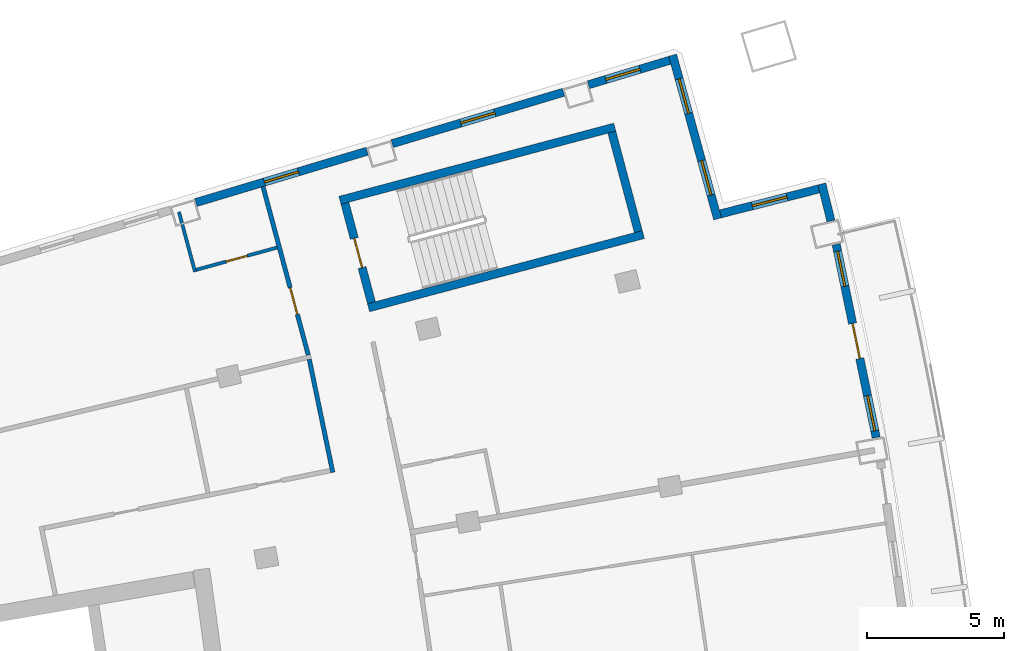
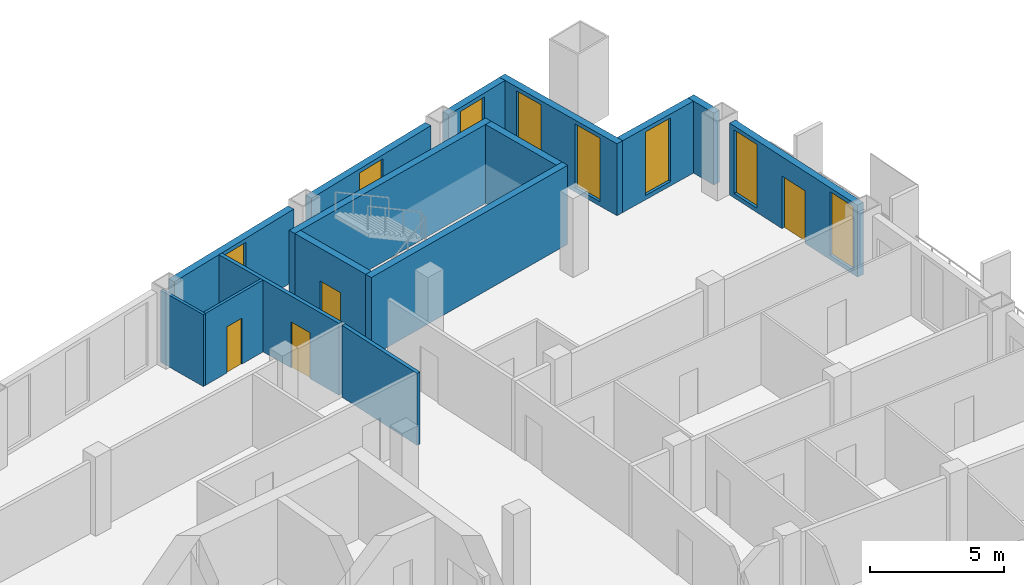
# One storey, part 15 of 19: 15 walls, 8 windows, 4 doors, 12 openings.
"""IFC4 building model written with IfcOpenShell, lengths in metres."""

from ifc_helpers import new_model, si_unit, direction, frame, frame_2d, origin, place, context, subcontext, project, spatial, rectangle, extrude, material, layer, layer_set, type_object, element, fill, save


model = new_model("IFC4")

# Units and contexts
model_context = context("Model", 3, precision=1e-05, world=origin(), true_north=direction((0.0, 1.0)))
body_context = subcontext(model_context, "Body", "Model", "MODEL_VIEW")
ifc_project = project(units=[si_unit("LENGTHUNIT", "METRE"), si_unit("AREAUNIT", "SQUARE_METRE"), si_unit("VOLUMEUNIT", "CUBIC_METRE"), si_unit("PLANEANGLEUNIT", "RADIAN"), si_unit("MASSUNIT", "GRAM", prefix="KILO")], contexts=[model_context])

# Site, building, storey
site_placement = place(None, origin())
site = spatial("IfcSite", under=ifc_project, at=site_placement, CompositionType="ELEMENT")
building_placement = place(site_placement, origin())
building = spatial("IfcBuilding", under=site, at=building_placement, Name="Alderwake Tower", CompositionType="ELEMENT")
storey_placement = place(building_placement, frame((0.0, 0.0, 203.60009765625)))
storey = spatial("IfcBuildingStorey", under=building, at=storey_placement, Name="L50", CompositionType="ELEMENT", Elevation=203.60009765625)

# Walls
ifc_material_1 = material(Name="Concrete C70/85", Category="concrete")
ifc_layer_1 = layer(ifc_material_1, 0.300048828125)
ifc_layer_set_1 = layer_set([ifc_layer_1], Name="Core wall stair enclosure 300 C70-85")
wall_type_1 = type_object("IfcWallType", Name="Core wall stair enclosure 300 C70-85", PredefinedType="SHEAR", material=ifc_layer_set_1)
for number, where, z_axis, x_axis, name in (
    (1, (36.71142578125, 94.182373046875, 0.0), (0.0, 0.0, 1.0), (0.966309214305, 0.257383958996, 0.0), "Core wall CW.082"),
    (2, (37.75390625, 90.268798828125, 0.0), (0.0, 0.0, 1.0), (0.966309214305, 0.257383958996, 0.0), "Core wall CW.084"),
):
    element("IfcWall", number, at=place(storey_placement, frame(where, z_axis=z_axis, x_axis=x_axis)), inside=storey, type_object=wall_type_1, Name=name, PredefinedType="SHEAR", context=body_context, shape_type="SweptSolid", body=[
        extrude(rectangle(XDim=10.360107421875, YDim=0.300048828125, at=frame_2d((5.18017578125, 0.0))), origin(), (0.0, 0.0, 1.0), 3.599853515625),
    ])

# Wall, opening, door
wall_1_placement = place(storey_placement, frame((37.8603515625, 90.452392578125, 0.0), z_axis=(0.0, 0.0, 1.0), x_axis=(-0.257411420208, 0.966301899381, 0.0)))
wall_1 = element("IfcWall", 3, at=wall_1_placement, inside=storey, type_object=wall_type_1, Name="Core wall CW.083", PredefinedType="SHEAR", context=body_context, shape_type="SweptSolid", body=[
    extrude(rectangle(XDim=3.750244140625, YDim=0.300048828125, at=frame_2d((1.875, 0.0))), origin(), (0.0, 0.0, 1.0), 3.599853515625),
])
opening_1_placement = place(wall_1_placement, frame((1.324951171875, 0.0, 0.0)))
opening_1 = element("IfcOpeningElement", 4, at=opening_1_placement, cuts=wall_1, Name="Opening C062", PredefinedType="OPENING", context=body_context, shape_type="SweptSolid", body=[
    extrude(rectangle(XDim=1.10009765625, YDim=2.10009765625, at=frame_2d((0.550048828125, 1.050048828125))), frame((0.0, 0.159912109375, 0.0), z_axis=(0.0, -1.0, 0.0), x_axis=(1.0, 0.0, 0.0)), (0.0, 0.0, 1.0), 0.320068359375),
])
ifc_material_2 = material(Name="Steel-framed fire door leaf", Category="steel")
door_type_1 = type_object("IfcDoorType", Name="Core stair door 1100 fire-rated", OperationType="SINGLE_SWING_LEFT", PredefinedType="DOOR", material=ifc_material_2)
door_1_placement = place(opening_1_placement, origin())
door_1 = element("IfcDoor", 5, at=door_1_placement, inside=storey, type_object=door_type_1, Name="Stair door", OperationType="SINGLE_SWING_RIGHT", OverallHeight=2.10009765625, OverallWidth=1.10009765625, PredefinedType="DOOR", context=body_context, shape_type="SweptSolid", body=[
    extrude(rectangle(XDim=1.10009765625, YDim=2.10009765625, at=frame_2d((0.550048828125, 1.050048828125))), frame((0.0, 0.02490234375, 0.0), z_axis=(0.0, -1.0, 0.0), x_axis=(1.0, 0.0, 0.0)), (0.0, 0.0, 1.0), 0.050048828125),
])
fill(opening_1, door_1)

# Wall
wall_2_placement = place(storey_placement, frame((47.581298828125, 93.041748046875, 0.0), z_axis=(0.0, 0.0, 1.0), x_axis=(-0.257366821694, 0.966313778796, 0.0)))
element("IfcWall", 6, at=wall_2_placement, inside=storey, type_object=wall_type_1, Name="Core wall CW.081", PredefinedType="SHEAR", context=body_context, shape_type="SweptSolid", body=[
    extrude(rectangle(XDim=3.749755859375, YDim=0.300048828125, at=frame_2d((1.875, 0.0))), origin(), (0.0, 0.0, 1.0), 3.599853515625),
])

# Wall, opening, door
ifc_material_3 = material(Name="Gypsum board on metal studs, rated")
ifc_layer_2 = layer(ifc_material_3, 0.159912109375)
ifc_layer_set_2 = layer_set([ifc_layer_2], Name="Corridor wall 160")
wall_type_2 = type_object("IfcWallType", Name="Corridor wall 160", PredefinedType="PARTITIONING", material=ifc_layer_set_2)
wall_3_placement = place(storey_placement, frame((35.55908203125, 88.54736328125, 0.0), z_axis=(0.0, 0.0, 1.0), x_axis=(-0.259486497004, 0.965746735885, 0.0)))
wall_3 = element("IfcWall", 7, at=wall_3_placement, inside=storey, type_object=wall_type_2, Name="WL/L50/W15", PredefinedType="PARTITIONING", context=body_context, shape_type="SweptSolid", body=[
    extrude(rectangle(XDim=6.346923828125, YDim=0.159912109375, at=frame_2d((3.17333984375, 0.0))), origin(), (0.0, 0.0, 1.0), 3.27978515625),
])
opening_2_placement = place(wall_3_placement, frame((1.5380859375, 0.0, 0.0)))
opening_2 = element("IfcOpeningElement", 8, at=opening_2_placement, cuts=wall_3, Name="Opening R14-U10.1", PredefinedType="OPENING", context=body_context, shape_type="SweptSolid", body=[
    extrude(rectangle(XDim=1.0, YDim=2.10009765625, at=frame_2d((0.5, 1.050048828125))), frame((0.0, 0.08984375, 0.0), z_axis=(0.0, -1.0, 0.0), x_axis=(1.0, 0.0, 0.0)), (0.0, 0.0, 1.0), 0.179931640625),
])
ifc_material_4 = material(Name="Solid timber leaf in steel frame", Category="steel")
door_type_2 = type_object("IfcDoorType", Name="Flat entrance door 1000 fire-rated", OperationType="SINGLE_SWING_LEFT", PredefinedType="DOOR", material=ifc_material_4)
door_2_placement = place(opening_2_placement, origin())
door_2 = element("IfcDoor", 9, at=door_2_placement, inside=storey, type_object=door_type_2, Name="DR/L50/U10.1", OperationType="SINGLE_SWING_LEFT", OverallHeight=2.10009765625, OverallWidth=1.0, PredefinedType="DOOR", context=body_context, shape_type="SweptSolid", body=[
    extrude(rectangle(XDim=1.0, YDim=2.10009765625, at=frame_2d((0.5, 1.050048828125))), frame((0.0, 0.02490234375, 0.0), z_axis=(0.0, -1.0, 0.0), x_axis=(1.0, 0.0, 0.0)), (0.0, 0.0, 1.0), 0.050048828125),
])
fill(opening_2, door_2)

# Wall
wall_4_placement = place(storey_placement, frame((35.59619140625, 88.3916015625, 0.0), z_axis=(0.0, 0.0, 1.0), x_axis=(0.20329833965, -0.979116839348, 0.0)))
element("IfcWall", 10, at=wall_4_placement, inside=storey, type_object=wall_type_2, Name="WL/L50/W17", PredefinedType="PARTITIONING", context=body_context, shape_type="SweptSolid", body=[
    extrude(rectangle(XDim=4.206787109375, YDim=0.159912109375, at=frame_2d((2.103515625, 0.0))), origin(), (0.0, 0.0, 1.0), 3.27978515625),
])

# Wall, openings, door, windows
ifc_material_5 = material(Name="Precast concrete C50/60 spandrel panel", Category="concrete")
ifc_layer_3 = layer(ifc_material_5, 0.300048828125)
ifc_layer_set_3 = layer_set([ifc_layer_3], Name="External wall EW1 Precast concrete C50/60 spandrel")
wall_type_3 = type_object("IfcWallType", Name="External wall EW1 Precast concrete C50/60 spandrel", PredefinedType="SOLIDWALL", material=ifc_layer_set_3)
wall_5_placement = place(storey_placement, frame((56.24462890625, 85.543212890625, 0.0), z_axis=(0.0, 0.0, 1.0), x_axis=(-0.202741640608, 0.979232264156, 0.0)))
wall_5 = element("IfcWall", 11, at=wall_5_placement, inside=storey, type_object=wall_type_3, Name="External wall 19", PredefinedType="SOLIDWALL", context=body_context, shape_type="SweptSolid", body=[
    extrude(rectangle(XDim=7.1806640625, YDim=0.300048828125, at=frame_2d((3.59033203125, 0.0))), origin(), (0.0, 0.0, 1.0), 3.27978515625),
])
opening_3_placement = place(wall_5_placement, frame((0.25341796875, 0.0, 0.199951171875)))
opening_3 = element("IfcOpeningElement", 12, at=opening_3_placement, cuts=wall_5, Name="Opening W1", PredefinedType="OPENING", context=body_context, shape_type="SweptSolid", body=[
    extrude(rectangle(XDim=1.300048828125, YDim=2.89990234375, at=frame_2d((0.64990234375, 1.449951171875))), frame((0.0, 0.159912109375, 0.0), z_axis=(0.0, -1.0, 0.0), x_axis=(1.0, 0.0, 0.0)), (0.0, 0.0, 1.0), 0.320068359375),
])
opening_4_placement = place(wall_5_placement, frame((2.940185546875, 0.0, 0.0)))
opening_4 = element("IfcOpeningElement", 13, at=opening_4_placement, cuts=wall_5, Name="Opening D09", PredefinedType="OPENING", context=body_context, shape_type="SweptSolid", body=[
    extrude(rectangle(XDim=1.300048828125, YDim=2.39990234375, at=frame_2d((0.64990234375, 1.199951171875))), frame((0.0, 0.159912109375, 0.0), z_axis=(0.0, -1.0, 0.0), x_axis=(1.0, 0.0, 0.0)), (0.0, 0.0, 1.0), 0.320068359375),
])
opening_5_placement = place(wall_5_placement, frame((5.627197265625, 0.0, 0.199951171875)))
opening_5 = element("IfcOpeningElement", 14, at=opening_5_placement, cuts=wall_5, Name="Opening W1", PredefinedType="OPENING", context=body_context, shape_type="SweptSolid", body=[
    extrude(rectangle(XDim=1.300048828125, YDim=2.89990234375, at=frame_2d((0.64990234375, 1.449951171875))), frame((0.0, 0.159912109375, 0.0), z_axis=(0.0, -1.0, 0.0), x_axis=(1.0, 0.0, 0.0)), (0.0, 0.0, 1.0), 0.320068359375),
])
ifc_material_6 = material(Name="Bronze tinted glass in aluminium frame", Category="aluminium")
door_type_3 = type_object("IfcDoorType", Name="Balcony door BD sliding", OperationType="SLIDING_TO_LEFT", PredefinedType="DOOR", material=ifc_material_6)
door_3_placement = place(opening_4_placement, origin())
door_3 = element("IfcDoor", 15, at=door_3_placement, inside=storey, type_object=door_type_3, Name="Door D09", OperationType="SLIDING_TO_LEFT", OverallHeight=2.39990234375, OverallWidth=1.300048828125, PredefinedType="DOOR", context=body_context, shape_type="SweptSolid", body=[
    extrude(rectangle(XDim=1.300048828125, YDim=2.39990234375, at=frame_2d((0.64990234375, 1.199951171875))), frame((0.0, 0.02490234375, 0.0), z_axis=(0.0, -1.0, 0.0), x_axis=(1.0, 0.0, 0.0)), (0.0, 0.0, 1.0), 0.050048828125),
])
fill(opening_4, door_3)
ifc_material_7 = material(Name="Bronze tinted glass in aluminium frame", Category="aluminium")
window_type = type_object("IfcWindowType", Name="Window W1 tall fixed and vent", PartitioningType="DOUBLE_PANEL_VERTICAL", PredefinedType="WINDOW", material=ifc_material_7)
window_1_placement = place(opening_3_placement, origin())
window_1 = element("IfcWindow", 16, at=window_1_placement, inside=storey, type_object=window_type, Name="Window W1 tall fixed and vent", OverallHeight=2.89990234375, OverallWidth=1.300048828125, PartitioningType="DOUBLE_PANEL_VERTICAL", PredefinedType="WINDOW", context=body_context, shape_type="SweptSolid", body=[
    extrude(rectangle(XDim=1.300048828125, YDim=2.89990234375, at=frame_2d((0.64990234375, 1.449951171875))), frame((0.0, 0.030029296875, 0.0), z_axis=(0.0, -1.0, 0.0), x_axis=(1.0, 0.0, 0.0)), (0.0, 0.0, 1.0), 0.06005859375),
])
fill(opening_3, window_1)
window_2_placement = place(opening_5_placement, origin())
window_2 = element("IfcWindow", 17, at=window_2_placement, inside=storey, type_object=window_type, Name="Window W1 tall fixed and vent", OverallHeight=2.89990234375, OverallWidth=1.300048828125, PartitioningType="DOUBLE_PANEL_VERTICAL", PredefinedType="WINDOW", context=body_context, shape_type="SweptSolid", body=[
    extrude(rectangle(XDim=1.300048828125, YDim=2.89990234375, at=frame_2d((0.64990234375, 1.449951171875))), frame((0.0, 0.030029296875, 0.0), z_axis=(0.0, -1.0, 0.0), x_axis=(1.0, 0.0, 0.0)), (0.0, 0.0, 1.0), 0.06005859375),
])
fill(opening_5, window_2)

# Wall
wall_6_placement = place(storey_placement, frame((54.595458984375, 93.430908203125, 0.0), z_axis=(0.0, 0.0, 1.0), x_axis=(-0.238271600543, 0.971198560736, 0.0)))
element("IfcWall", 18, at=wall_6_placement, inside=storey, type_object=wall_type_3, Name="External wall 20", PredefinedType="SOLIDWALL", context=body_context, shape_type="SweptSolid", body=[
    extrude(rectangle(XDim=1.388427734375, YDim=0.300048828125, at=frame_2d((0.6943359375, 0.0))), origin(), (0.0, 0.0, 1.0), 3.27978515625),
])

# Wall, opening, window
ifc_material_8 = material(Name="Bronze metal cladding on lightweight framing")
ifc_layer_4 = layer(ifc_material_8, 0.300048828125)
ifc_layer_set_4 = layer_set([ifc_layer_4], Name="External wall EW2 bronze metal cladding")
wall_type_4 = type_object("IfcWallType", Name="External wall EW2 bronze metal cladding", PredefinedType="SOLIDWALL", material=ifc_layer_set_4)
wall_7_placement = place(storey_placement, frame((54.155029296875, 94.5966796875, 0.0), z_axis=(0.0, 0.0, 1.0), x_axis=(-0.969426922046, -0.245380200529, 0.0)))
wall_7 = element("IfcWall", 19, at=wall_7_placement, inside=storey, type_object=wall_type_4, Name="External wall 21", PredefinedType="SOLIDWALL", context=body_context, shape_type="SweptSolid", body=[
    extrude(rectangle(XDim=3.6943359375, YDim=0.300048828125, at=frame_2d((1.84716796875, 0.0))), origin(), (0.0, 0.0, 1.0), 3.27978515625),
])
opening_6_placement = place(wall_7_placement, frame((1.197021484375, 0.0, 0.199951171875)))
opening_6 = element("IfcOpeningElement", 20, at=opening_6_placement, cuts=wall_7, Name="Opening W1", PredefinedType="OPENING", context=body_context, shape_type="SweptSolid", body=[
    extrude(rectangle(XDim=1.300048828125, YDim=2.89990234375, at=frame_2d((0.64990234375, 1.449951171875))), frame((0.0, 0.159912109375, 0.0), z_axis=(0.0, -1.0, 0.0), x_axis=(1.0, 0.0, 0.0)), (0.0, 0.0, 1.0), 0.320068359375),
])
window_3_placement = place(opening_6_placement, origin())
window_3 = element("IfcWindow", 21, at=window_3_placement, inside=storey, type_object=window_type, Name="Window W1 tall fixed and vent", OverallHeight=2.89990234375, OverallWidth=1.300048828125, PartitioningType="DOUBLE_PANEL_VERTICAL", PredefinedType="WINDOW", context=body_context, shape_type="SweptSolid", body=[
    extrude(rectangle(XDim=1.300048828125, YDim=2.89990234375, at=frame_2d((0.64990234375, 1.449951171875))), frame((0.0, 0.030029296875, 0.0), z_axis=(0.0, -1.0, 0.0), x_axis=(1.0, 0.0, 0.0)), (0.0, 0.0, 1.0), 0.06005859375),
])
fill(opening_6, window_3)

# Wall, openings, windows
wall_8_placement = place(storey_placement, frame((50.468017578125, 93.5087890625, 0.0), z_axis=(0.0, 0.0, 1.0), x_axis=(-0.265078459532, 0.964226845868, 0.0)))
wall_8 = element("IfcWall", 22, at=wall_8_placement, inside=storey, type_object=wall_type_4, Name="External wall 22", PredefinedType="SOLIDWALL", context=body_context, shape_type="SweptSolid", body=[
    extrude(rectangle(XDim=6.181884765625, YDim=0.300048828125, at=frame_2d((3.0908203125, 0.0))), origin(), (0.0, 0.0, 1.0), 3.27978515625),
])
opening_7_placement = place(wall_8_placement, frame((0.8955078125, 0.0, 0.199951171875)))
opening_7 = element("IfcOpeningElement", 23, at=opening_7_placement, cuts=wall_8, Name="Opening W1", PredefinedType="OPENING", context=body_context, shape_type="SweptSolid", body=[
    extrude(rectangle(XDim=1.300048828125, YDim=2.89990234375, at=frame_2d((0.64990234375, 1.449951171875))), frame((0.0, 0.159912109375, 0.0), z_axis=(0.0, -1.0, 0.0), x_axis=(1.0, 0.0, 0.0)), (0.0, 0.0, 1.0), 0.320068359375),
])
opening_8_placement = place(wall_8_placement, frame((3.986328125, 0.0, 0.199951171875)))
opening_8 = element("IfcOpeningElement", 24, at=opening_8_placement, cuts=wall_8, Name="Opening W1", PredefinedType="OPENING", context=body_context, shape_type="SweptSolid", body=[
    extrude(rectangle(XDim=1.300048828125, YDim=2.89990234375, at=frame_2d((0.64990234375, 1.449951171875))), frame((0.0, 0.159912109375, 0.0), z_axis=(0.0, -1.0, 0.0), x_axis=(1.0, 0.0, 0.0)), (0.0, 0.0, 1.0), 0.320068359375),
])
window_4_placement = place(opening_7_placement, origin())
window_4 = element("IfcWindow", 25, at=window_4_placement, inside=storey, type_object=window_type, Name="Window W1 tall fixed and vent", OverallHeight=2.89990234375, OverallWidth=1.300048828125, PartitioningType="DOUBLE_PANEL_VERTICAL", PredefinedType="WINDOW", context=body_context, shape_type="SweptSolid", body=[
    extrude(rectangle(XDim=1.300048828125, YDim=2.89990234375, at=frame_2d((0.64990234375, 1.449951171875))), frame((0.0, 0.030029296875, 0.0), z_axis=(0.0, -1.0, 0.0), x_axis=(1.0, 0.0, 0.0)), (0.0, 0.0, 1.0), 0.06005859375),
])
fill(opening_7, window_4)
window_5_placement = place(opening_8_placement, origin())
window_5 = element("IfcWindow", 26, at=window_5_placement, inside=storey, type_object=window_type, Name="Window W1 tall fixed and vent", OverallHeight=2.89990234375, OverallWidth=1.300048828125, PartitioningType="DOUBLE_PANEL_VERTICAL", PredefinedType="WINDOW", context=body_context, shape_type="SweptSolid", body=[
    extrude(rectangle(XDim=1.300048828125, YDim=2.89990234375, at=frame_2d((0.64990234375, 1.449951171875))), frame((0.0, 0.030029296875, 0.0), z_axis=(0.0, -1.0, 0.0), x_axis=(1.0, 0.0, 0.0)), (0.0, 0.0, 1.0), 0.06005859375),
])
fill(opening_8, window_5)

# Wall, opening, window
wall_9_placement = place(storey_placement, frame((48.725341796875, 99.28173828125, 0.0), z_axis=(0.0, 0.0, 1.0), x_axis=(-0.957765334649, -0.287550975906, 0.0)))
wall_9 = element("IfcWall", 27, at=wall_9_placement, inside=storey, type_object=wall_type_4, Name="External wall 23", PredefinedType="SOLIDWALL", context=body_context, shape_type="SweptSolid", body=[
    extrude(rectangle(XDim=3.087890625, YDim=0.300048828125, at=frame_2d((1.5439453125, 0.0))), origin(), (0.0, 0.0, 1.0), 3.27978515625),
])
opening_9_placement = place(wall_9_placement, frame((1.13232421875, 0.0, 0.199951171875)))
opening_9 = element("IfcOpeningElement", 28, at=opening_9_placement, cuts=wall_9, Name="Opening W1", PredefinedType="OPENING", context=body_context, shape_type="SweptSolid", body=[
    extrude(rectangle(XDim=1.300048828125, YDim=2.89990234375, at=frame_2d((0.64990234375, 1.449951171875))), frame((0.0, 0.159912109375, 0.0), z_axis=(0.0, -1.0, 0.0), x_axis=(1.0, 0.0, 0.0)), (0.0, 0.0, 1.0), 0.320068359375),
])
window_6_placement = place(opening_9_placement, origin())
window_6 = element("IfcWindow", 29, at=window_6_placement, inside=storey, type_object=window_type, Name="Window W1 tall fixed and vent", OverallHeight=2.89990234375, OverallWidth=1.300048828125, PartitioningType="DOUBLE_PANEL_VERTICAL", PredefinedType="WINDOW", context=body_context, shape_type="SweptSolid", body=[
    extrude(rectangle(XDim=1.300048828125, YDim=2.89990234375, at=frame_2d((0.64990234375, 1.449951171875))), frame((0.0, 0.030029296875, 0.0), z_axis=(0.0, -1.0, 0.0), x_axis=(1.0, 0.0, 0.0)), (0.0, 0.0, 1.0), 0.06005859375),
])
fill(opening_9, window_6)

wall_10_placement = place(storey_placement, frame((44.8544921875, 98.119384765625, 0.0), z_axis=(0.0, 0.0, 1.0), x_axis=(-0.957764359699, -0.287554223219, 0.0)))
wall_10 = element("IfcWall", 30, at=wall_10_placement, inside=storey, type_object=wall_type_4, Name="External wall 24", PredefinedType="SOLIDWALL", context=body_context, shape_type="SweptSolid", body=[
    extrude(rectangle(XDim=6.512939453125, YDim=0.300048828125, at=frame_2d((3.25634765625, 0.0))), origin(), (0.0, 0.0, 1.0), 3.27978515625),
])
opening_10_placement = place(wall_10_placement, frame((2.606689453125, 0.0, 0.199951171875)))
opening_10 = element("IfcOpeningElement", 31, at=opening_10_placement, cuts=wall_10, Name="Opening W1", PredefinedType="OPENING", context=body_context, shape_type="SweptSolid", body=[
    extrude(rectangle(XDim=1.300048828125, YDim=2.89990234375, at=frame_2d((0.64990234375, 1.449951171875))), frame((0.0, 0.159912109375, 0.0), z_axis=(0.0, -1.0, 0.0), x_axis=(1.0, 0.0, 0.0)), (0.0, 0.0, 1.0), 0.320068359375),
])
window_7_placement = place(opening_10_placement, origin())
window_7 = element("IfcWindow", 32, at=window_7_placement, inside=storey, type_object=window_type, Name="Window W1 tall fixed and vent", OverallHeight=2.89990234375, OverallWidth=1.300048828125, PartitioningType="DOUBLE_PANEL_VERTICAL", PredefinedType="WINDOW", context=body_context, shape_type="SweptSolid", body=[
    extrude(rectangle(XDim=1.300048828125, YDim=2.89990234375, at=frame_2d((0.64990234375, 1.449951171875))), frame((0.0, 0.030029296875, 0.0), z_axis=(0.0, -1.0, 0.0), x_axis=(1.0, 0.0, 0.0)), (0.0, 0.0, 1.0), 0.06005859375),
])
fill(opening_10, window_7)

wall_11_placement = place(storey_placement, frame((37.703125, 95.972412109375, 0.0), z_axis=(0.0, 0.0, 1.0), x_axis=(-0.957767459143, -0.287543899616, 0.0)))
wall_11 = element("IfcWall", 33, at=wall_11_placement, inside=storey, type_object=wall_type_4, Name="External wall 25", PredefinedType="SOLIDWALL", context=body_context, shape_type="SweptSolid", body=[
    extrude(rectangle(XDim=6.51318359375, YDim=0.300048828125, at=frame_2d((3.256591796875, 0.0))), origin(), (0.0, 0.0, 1.0), 3.27978515625),
])
opening_11_placement = place(wall_11_placement, frame((2.606689453125, 0.0, 0.199951171875)))
opening_11 = element("IfcOpeningElement", 34, at=opening_11_placement, cuts=wall_11, Name="Opening W1", PredefinedType="OPENING", context=body_context, shape_type="SweptSolid", body=[
    extrude(rectangle(XDim=1.300048828125, YDim=2.89990234375, at=frame_2d((0.64990234375, 1.449951171875))), frame((0.0, 0.159912109375, 0.0), z_axis=(0.0, -1.0, 0.0), x_axis=(1.0, 0.0, 0.0)), (0.0, 0.0, 1.0), 0.320068359375),
])
window_8_placement = place(opening_11_placement, origin())
window_8 = element("IfcWindow", 35, at=window_8_placement, inside=storey, type_object=window_type, Name="Window W1 tall fixed and vent", OverallHeight=2.89990234375, OverallWidth=1.300048828125, PartitioningType="DOUBLE_PANEL_VERTICAL", PredefinedType="WINDOW", context=body_context, shape_type="SweptSolid", body=[
    extrude(rectangle(XDim=1.300048828125, YDim=2.89990234375, at=frame_2d((0.64990234375, 1.449951171875))), frame((0.0, 0.030029296875, 0.0), z_axis=(0.0, -1.0, 0.0), x_axis=(1.0, 0.0, 0.0)), (0.0, 0.0, 1.0), 0.06005859375),
])
fill(opening_11, window_8)

# Wall
ifc_material_9 = material(Name="Moisture resistant gypsum board on metal studs")
ifc_layer_5 = layer(ifc_material_9, 0.1201171875)
ifc_layer_set_5 = layer_set([ifc_layer_5], Name="Wet room partition 120")
wall_type_5 = type_object("IfcWallType", Name="Wet room partition 120", PredefinedType="PARTITIONING", material=ifc_layer_set_5)
wall_12_placement = place(storey_placement, frame((30.84912109375, 93.759033203125, 0.0), z_axis=(0.0, 0.0, 1.0), x_axis=(0.259155613864, -0.965835580108, 0.0)))
element("IfcWall", 36, at=wall_12_placement, inside=storey, type_object=wall_type_5, Name="WL/L50/W28", PredefinedType="PARTITIONING", context=body_context, shape_type="SweptSolid", body=[
    extrude(rectangle(XDim=2.259033203125, YDim=0.1201171875, at=frame_2d((1.12939453125, 0.0))), origin(), (0.0, 0.0, 1.0), 3.27978515625),
])

# Wall, opening, door
wall_13_placement = place(storey_placement, frame((31.476806640625, 91.65087890625, 0.0), z_axis=(0.0, 0.0, 1.0), x_axis=(0.964118102321, 0.265473698843, 0.0)))
wall_13 = element("IfcWall", 37, at=wall_13_placement, inside=storey, type_object=wall_type_5, Name="WL/L50/W30", PredefinedType="PARTITIONING", context=body_context, shape_type="SweptSolid", body=[
    extrude(rectangle(XDim=3.058837890625, YDim=0.1201171875, at=frame_2d((1.529296875, 0.0))), origin(), (0.0, 0.0, 1.0), 3.27978515625),
])
opening_12_placement = place(wall_13_placement, frame((1.12939453125, 0.0, 0.0)))
opening_12 = element("IfcOpeningElement", 38, at=opening_12_placement, cuts=wall_13, Name="Opening R14-U10.2", PredefinedType="OPENING", context=body_context, shape_type="SweptSolid", body=[
    extrude(rectangle(XDim=0.800048828125, YDim=2.10009765625, at=frame_2d((0.39990234375, 1.050048828125))), frame((0.0, 0.070068359375, 0.0), z_axis=(0.0, -1.0, 0.0), x_axis=(1.0, 0.0, 0.0)), (0.0, 0.0, 1.0), 0.14013671875),
])
ifc_material_10 = material(Name="Painted timber leaf", Category="wood")
door_type_4 = type_object("IfcDoorType", Name="Bathroom door 800", OperationType="SINGLE_SWING_LEFT", PredefinedType="DOOR", material=ifc_material_10)
door_4_placement = place(opening_12_placement, origin())
door_4 = element("IfcDoor", 39, at=door_4_placement, inside=storey, type_object=door_type_4, Name="DR/L50/U10.2", OperationType="SINGLE_SWING_LEFT", OverallHeight=2.10009765625, OverallWidth=0.800048828125, PredefinedType="DOOR", context=body_context, shape_type="SweptSolid", body=[
    extrude(rectangle(XDim=0.800048828125, YDim=2.10009765625, at=frame_2d((0.39990234375, 1.050048828125))), frame((0.0, 0.02490234375, 0.0), z_axis=(0.0, -1.0, 0.0), x_axis=(1.0, 0.0, 0.0)), (0.0, 0.0, 1.0), 0.050048828125),
])
fill(opening_12, door_4)

save(model, "model.ifc")
